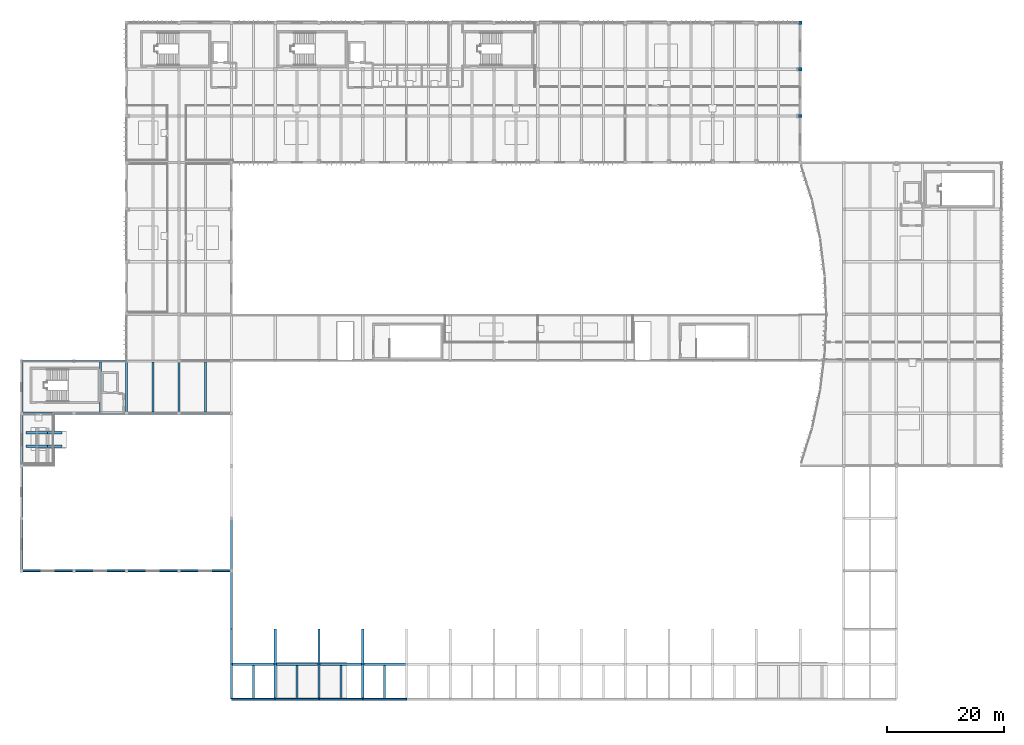
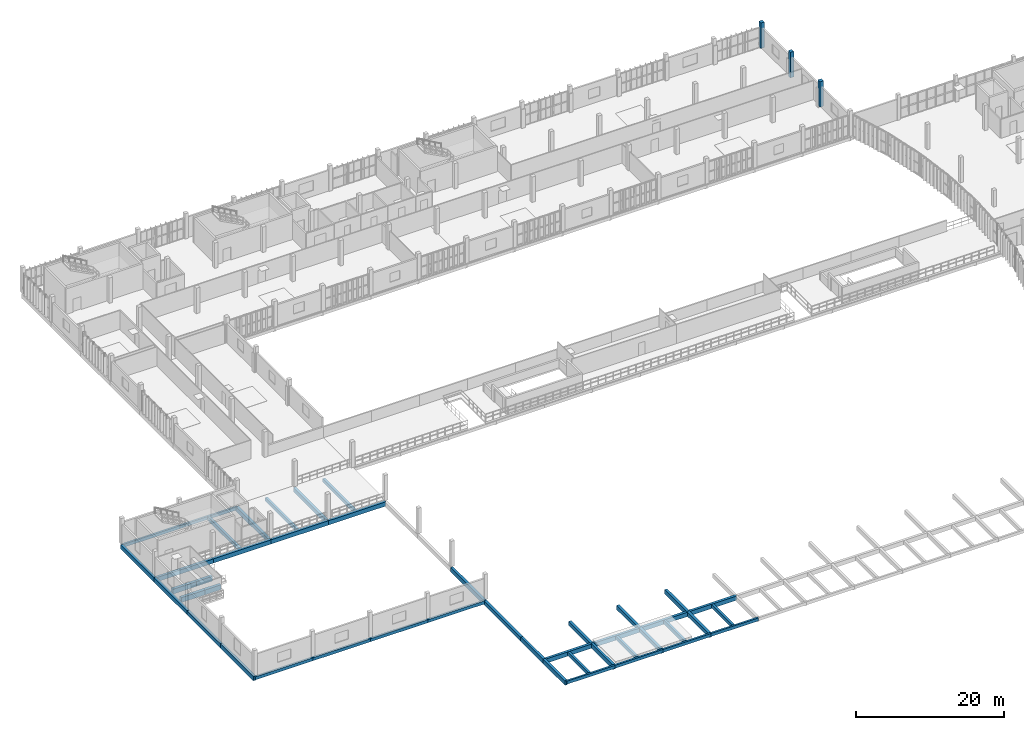
# One storey, part 5 of 61: 45 beams, 3 columns.
"""IFC4 building model written with IfcOpenShell, lengths in metres."""

from ifc_helpers import new_model, si_unit, direction, frame, origin, origin_2d, place, context, subcontext, project, spatial, rectangle, extrude, material, material_profile, profile_set, type_object, element, save


model = new_model("IFC4")

# Units and contexts
model_context = context("Model", 3, precision=1e-05, world=origin(), true_north=direction((0.0, 1.0)))
body_context = subcontext(model_context, "Body", "Model", "MODEL_VIEW")
ifc_project = project(units=[si_unit("LENGTHUNIT", "METRE"), si_unit("AREAUNIT", "SQUARE_METRE"), si_unit("VOLUMEUNIT", "CUBIC_METRE"), si_unit("PLANEANGLEUNIT", "RADIAN"), si_unit("MASSUNIT", "GRAM", prefix="KILO")], contexts=[model_context])

# Site, building, storey
site_placement = place(None, origin())
site = spatial("IfcSite", under=ifc_project, at=site_placement, CompositionType="ELEMENT")
building_placement = place(site_placement, origin())
building = spatial("IfcBuilding", under=site, at=building_placement, Name="Vourika Railside Aquatics Centre", CompositionType="ELEMENT")
storey_placement = place(building_placement, frame((0.0, 0.0, 9.300048828125)))
storey = spatial("IfcBuildingStorey", under=building, at=storey_placement, Name="L02", CompositionType="ELEMENT", Elevation=9.300048828125)

# Columns
ifc_material = material(Name="Concrete C35/45", Category="concrete")
ifc_material_profile_1 = material_profile(ifc_material, rectangle(XDim=0.550048828125, YDim=0.550048828125, at=origin_2d()), Name="RC 550x550")
ifc_profile_set_1 = profile_set([ifc_material_profile_1], Name="Concrete C35/45")
column_type = type_object("IfcColumnType", Name="COL-RC550", PredefinedType="COLUMN", material=ifc_profile_set_1)
for number, where, z_axis, x_axis, name in (
    (1, (133.5, 100.0, 0.0), (0.0, 0.0, 1.0), (1.0, 0.0, 0.0), "Column col:L02:1335_1000"),
    (2, (133.5, 108.0, 0.0), (0.0, 0.0, 1.0), (1.0, 0.0, 0.0), "Column col:L02:1335_1080"),
    (3, (133.5, 116.0, 0.0), (0.0, 0.0, 1.0), (1.0, 0.0, 0.0), "Column col:L02:1335_1160"),
):
    element("IfcColumn", number, at=place(storey_placement, frame(where, z_axis=z_axis, x_axis=x_axis)), inside=storey, type_object=column_type, Name=name, PredefinedType="COLUMN", context=body_context, shape_type="SweptSolid", body=[
        extrude(rectangle(XDim=0.550048828125, YDim=0.550048828125, at=origin_2d()), origin(), (0.0, 0.0, 1.0), 4.199951171875),
    ])

# Beams
ifc_material_profile_2 = material_profile(ifc_material, rectangle(XDim=0.39990234375, YDim=0.699951171875, at=origin_2d()), Name="RC 400x700")
ifc_profile_set_2 = profile_set([ifc_material_profile_2], Name="Concrete C35/45")
beam_type_1 = type_object("IfcBeamType", Name="BM-GIRD-400x700", PredefinedType="BEAM", material=ifc_profile_set_2)
for number, where, z_axis, x_axis, name in (
    (4, (36.0, 6.0, -0.630126953125), (1.0, 0.0, 0.0), (0.0, 1.0, 0.0), "Floor Beam GX-L02-016"),
    (5, (43.5, 6.0, -0.630126953125), (1.0, 0.0, 0.0), (0.0, 1.0, 0.0), "Floor Beam GX-L02-017"),
    (6, (51.0, 6.0, -0.630126953125), (1.0, 0.0, 0.0), (0.0, 1.0, 0.0), "Floor Beam GX-L02-018"),
    (7, (58.5, 6.0, -0.630126953125), (1.0, 0.0, 0.0), (0.0, 1.0, 0.0), "Floor Beam GX-L02-019"),
):
    element("IfcBeam", number, at=place(storey_placement, frame(where, z_axis=z_axis, x_axis=x_axis)), inside=storey, type_object=beam_type_1, Name=name, PredefinedType="BEAM", context=body_context, shape_type="SweptSolid", body=[
        extrude(rectangle(XDim=0.39990234375, YDim=0.699951171875, at=origin_2d()), origin(), (0.0, 0.0, 1.0), 7.5),
    ])
for number, where, z_axis, x_axis, name in (
    (8, (0.0, 49.0, -0.630126953125), (1.0, 0.0, 0.0), (0.0, 1.0, 0.0), "Floor Beam GX-L02-041"),
    (9, (9.0, 49.0, -0.630126953125), (1.0, 0.0, 0.0), (0.0, 1.0, 0.0), "Floor Beam GX-L02-042"),
    (10, (18.0, 49.0, -0.630126953125), (1.0, 0.0, 0.0), (0.0, 1.0, 0.0), "Floor Beam GX-L02-043"),
    (11, (27.0, 49.0, -0.630126953125), (1.0, 0.0, 0.0), (0.0, 1.0, 0.0), "Floor Beam GX-L02-044"),
    (12, (0.0, 22.0, -0.630126953125), (0.0, 1.0, 0.0), (-1.0, 0.0, 0.0), "Floor Girder GY-L02-148"),
    (13, (0.0, 31.0, -0.630126953125), (0.0, 1.0, 0.0), (-1.0, 0.0, 0.0), "Floor Girder GY-L02-149"),
    (14, (0.0, 40.0, -0.630126953125), (0.0, 1.0, 0.0), (-1.0, 0.0, 0.0), "Floor Girder GY-L02-150"),
    (15, (0.0, 49.0, -0.630126953125), (0.0, 1.0, 0.0), (-1.0, 0.0, 0.0), "Floor Girder GY-L02-151"),
    (16, (18.0, 49.0, -0.630126953125), (0.0, 1.0, 0.0), (-1.0, 0.0, 0.0), "Floor Girder GY-L02-152"),
    (17, (27.0, 49.0, -0.630126953125), (0.0, 1.0, 0.0), (-1.0, 0.0, 0.0), "Floor Girder GY-L02-160"),
):
    element("IfcBeam", number, at=place(storey_placement, frame(where, z_axis=z_axis, x_axis=x_axis)), inside=storey, type_object=beam_type_1, Name=name, PredefinedType="BEAM", context=body_context, shape_type="SweptSolid", body=[
        extrude(rectangle(XDim=0.39990234375, YDim=0.699951171875, at=origin_2d()), origin(), (0.0, 0.0, 1.0), 9.0),
    ])
for number, where, z_axis, x_axis, name in (
    (18, (36.0, 0.0, -0.630126953125), (0.0, 1.0, 0.0), (-1.0, 0.0, 0.0), "Floor Girder GY-L02-167"),
    (19, (36.0, 6.0, -0.630126953125), (0.0, 1.0, 0.0), (-1.0, 0.0, 0.0), "Floor Girder GY-L02-168"),
):
    element("IfcBeam", number, at=place(storey_placement, frame(where, z_axis=z_axis, x_axis=x_axis)), inside=storey, type_object=beam_type_1, Name=name, PredefinedType="BEAM", context=body_context, shape_type="SweptSolid", body=[
        extrude(rectangle(XDim=0.39990234375, YDim=0.699951171875, at=origin_2d()), origin(), (0.0, 0.0, 1.0), 6.0),
    ])
beam_1_placement = place(storey_placement, frame((36.0, 12.0, -0.630126953125), z_axis=(0.0, 1.0, 0.0), x_axis=(-1.0, 0.0, 0.0)))
element("IfcBeam", 20, at=beam_1_placement, inside=storey, type_object=beam_type_1, Name="Floor Girder GY-L02-169", PredefinedType="BEAM", context=body_context, shape_type="SweptSolid", body=[
    extrude(rectangle(XDim=0.39990234375, YDim=0.699951171875, at=origin_2d()), origin(), (0.0, 0.0, 1.0), 10.0),
])
beam_2_placement = place(storey_placement, frame((36.0, 22.0, -0.630126953125), z_axis=(0.0, 1.0, 0.0), x_axis=(-1.0, 0.0, 0.0)))
element("IfcBeam", 21, at=beam_2_placement, inside=storey, type_object=beam_type_1, Name="Floor Girder GY-L02-170", PredefinedType="BEAM", context=body_context, shape_type="SweptSolid", body=[
    extrude(rectangle(XDim=0.39990234375, YDim=0.699951171875, at=origin_2d()), origin(), (0.0, 0.0, 1.0), 9.0),
])
for number, where, z_axis, x_axis, name in (
    (22, (43.5, 0.0, -0.630126953125), (0.0, 1.0, 0.0), (-1.0, 0.0, 0.0), "Floor Girder GY-L02-181"),
    (23, (43.5, 6.0, -0.630126953125), (0.0, 1.0, 0.0), (-1.0, 0.0, 0.0), "Floor Girder GY-L02-182"),
    (24, (51.0, 0.0, -0.630126953125), (0.0, 1.0, 0.0), (-1.0, 0.0, 0.0), "Floor Girder GY-L02-187"),
    (25, (51.0, 6.0, -0.630126953125), (0.0, 1.0, 0.0), (-1.0, 0.0, 0.0), "Floor Girder GY-L02-188"),
    (26, (58.5, 0.0, -0.630126953125), (0.0, 1.0, 0.0), (-1.0, 0.0, 0.0), "Floor Girder GY-L02-192"),
    (27, (58.5, 6.0, -0.630126953125), (0.0, 1.0, 0.0), (-1.0, 0.0, 0.0), "Floor Girder GY-L02-193"),
):
    element("IfcBeam", number, at=place(storey_placement, frame(where, z_axis=z_axis, x_axis=x_axis)), inside=storey, type_object=beam_type_1, Name=name, PredefinedType="BEAM", context=body_context, shape_type="SweptSolid", body=[
        extrude(rectangle(XDim=0.39990234375, YDim=0.699951171875, at=origin_2d()), origin(), (0.0, 0.0, 1.0), 6.0),
    ])
ifc_material_profile_3 = material_profile(ifc_material, rectangle(XDim=0.449951171875, YDim=0.800048828125, at=origin_2d()), Name="RC 450x800")
ifc_profile_set_3 = profile_set([ifc_material_profile_3], Name="Concrete C35/45")
beam_type_2 = type_object("IfcBeamType", Name="BM-RAKER-450x800", PredefinedType="BEAM", material=ifc_profile_set_3)
beam_3_placement = place(storey_placement, frame((0.719970703125, 43.35009765625, -0.77001953125), z_axis=(1.0, 0.0, 0.0), x_axis=(0.0, 1.0, 0.0)))
element("IfcBeam", 28, at=beam_3_placement, inside=storey, type_object=beam_type_2, Name="Diving Platform 10.0 m Back-Span Beam 1", PredefinedType="BEAM", context=body_context, shape_type="SweptSolid", body=[
    extrude(rectangle(XDim=0.449951171875, YDim=0.800048828125, at=origin_2d()), origin(), (0.0, 0.0, 1.0), 3.72998046875),
])
beam_4_placement = place(storey_placement, frame((4.449951171875, 43.35009765625, -0.77001953125), z_axis=(1.0, 0.0, 0.0), x_axis=(0.0, 1.0, 0.0)))
element("IfcBeam", 29, at=beam_4_placement, inside=storey, type_object=beam_type_2, Name="Diving Platform 10.0 m Cantilever Bracket Beam 1", PredefinedType="BEAM", context=body_context, shape_type="SweptSolid", body=[
    extrude(rectangle(XDim=0.449951171875, YDim=0.800048828125, at=origin_2d()), origin(), (0.0, 0.0, 1.0), 2.449951171875),
])
beam_5_placement = place(storey_placement, frame((0.719970703125, 45.64990234375, -0.77001953125), z_axis=(1.0, 0.0, 0.0), x_axis=(0.0, 1.0, 0.0)))
element("IfcBeam", 30, at=beam_5_placement, inside=storey, type_object=beam_type_2, Name="Diving Platform 10.0 m Back-Span Beam 2", PredefinedType="BEAM", context=body_context, shape_type="SweptSolid", body=[
    extrude(rectangle(XDim=0.449951171875, YDim=0.800048828125, at=origin_2d()), origin(), (0.0, 0.0, 1.0), 3.72998046875),
])
beam_6_placement = place(storey_placement, frame((4.449951171875, 45.64990234375, -0.77001953125), z_axis=(1.0, 0.0, 0.0), x_axis=(0.0, 1.0, 0.0)))
element("IfcBeam", 31, at=beam_6_placement, inside=storey, type_object=beam_type_2, Name="Diving Platform 10.0 m Cantilever Bracket Beam 2", PredefinedType="BEAM", context=body_context, shape_type="SweptSolid", body=[
    extrude(rectangle(XDim=0.449951171875, YDim=0.800048828125, at=origin_2d()), origin(), (0.0, 0.0, 1.0), 2.449951171875),
])
ifc_material_profile_4 = material_profile(ifc_material, rectangle(XDim=0.35009765625, YDim=0.60009765625, at=origin_2d()), Name="RC 350x600")
ifc_profile_set_4 = profile_set([ifc_material_profile_4], Name="Concrete C35/45")
beam_type_3 = type_object("IfcBeamType", Name="BM-SEC-350x600", PredefinedType="JOIST", material=ifc_profile_set_4)
for number, where, z_axis, x_axis, name in (
    (32, (39.75, 0.14990234375, -0.580078125), (0.0, 1.0, 0.0), (-1.0, 0.0, 0.0), "Secondary Joist JY-L02-287"),
    (33, (47.25, 0.14990234375, -0.580078125), (0.0, 1.0, 0.0), (-1.0, 0.0, 0.0), "Secondary Joist JY-L02-288"),
    (34, (54.75, 0.14990234375, -0.580078125), (0.0, 1.0, 0.0), (-1.0, 0.0, 0.0), "Secondary Joist JY-L02-289"),
    (35, (62.25, 0.14990234375, -0.580078125), (0.0, 1.0, 0.0), (-1.0, 0.0, 0.0), "Secondary Joist JY-L02-290"),
):
    element("IfcBeam", number, at=place(storey_placement, frame(where, z_axis=z_axis, x_axis=x_axis)), inside=storey, type_object=beam_type_3, Name=name, PredefinedType="JOIST", context=body_context, shape_type="SweptSolid", body=[
        extrude(rectangle(XDim=0.35009765625, YDim=0.60009765625, at=origin_2d()), origin(), (0.0, 0.0, 1.0), 5.650146484375),
    ])
for number, where, z_axis, x_axis, name in (
    (36, (13.5, 49.199951171875, -0.580078125), (0.0, 1.0, 0.0), (-1.0, 0.0, 0.0), "Secondary Joist JY-L02-309"),
    (37, (22.5, 49.199951171875, -0.580078125), (0.0, 1.0, 0.0), (-1.0, 0.0, 0.0), "Secondary Joist JY-L02-310"),
    (38, (31.5, 49.199951171875, -0.580078125), (0.0, 1.0, 0.0), (-1.0, 0.0, 0.0), "Secondary Joist JY-L02-311"),
):
    element("IfcBeam", number, at=place(storey_placement, frame(where, z_axis=z_axis, x_axis=x_axis)), inside=storey, type_object=beam_type_3, Name=name, PredefinedType="JOIST", context=body_context, shape_type="SweptSolid", body=[
        extrude(rectangle(XDim=0.35009765625, YDim=0.60009765625, at=origin_2d()), origin(), (0.0, 0.0, 1.0), 8.650146484375),
    ])
ifc_material_profile_5 = material_profile(ifc_material, rectangle(XDim=0.300048828125, YDim=0.5, at=origin_2d()), Name="RC 300x500")
ifc_profile_set_5 = profile_set([ifc_material_profile_5], Name="Concrete C35/45")
beam_type_4 = type_object("IfcBeamType", Name="BM-SPAN-300x500", PredefinedType="SPANDREL", material=ifc_profile_set_5)
for number, where, z_axis, x_axis, name in (
    (39, (36.0, 0.0, -0.530029296875), (1.0, 0.0, 0.0), (0.0, 1.0, 0.0), "Floor Beam GX-L02-001"),
    (40, (43.5, 0.0, -0.530029296875), (1.0, 0.0, 0.0), (0.0, 1.0, 0.0), "Floor Beam GX-L02-002"),
    (41, (51.0, 0.0, -0.530029296875), (1.0, 0.0, 0.0), (0.0, 1.0, 0.0), "Floor Beam GX-L02-003"),
    (42, (58.5, 0.0, -0.530029296875), (1.0, 0.0, 0.0), (0.0, 1.0, 0.0), "Floor Beam GX-L02-004"),
):
    element("IfcBeam", number, at=place(storey_placement, frame(where, z_axis=z_axis, x_axis=x_axis)), inside=storey, type_object=beam_type_4, Name=name, PredefinedType="SPANDREL", context=body_context, shape_type="SweptSolid", body=[
        extrude(rectangle(XDim=0.300048828125, YDim=0.5, at=origin_2d()), origin(), (0.0, 0.0, 1.0), 7.5),
    ])
for number, where, z_axis, x_axis, name in (
    (43, (0.0, 22.0, -0.530029296875), (1.0, 0.0, 0.0), (0.0, 1.0, 0.0), "Floor Beam GX-L02-032"),
    (44, (9.0, 22.0, -0.530029296875), (1.0, 0.0, 0.0), (0.0, 1.0, 0.0), "Floor Beam GX-L02-033"),
    (45, (18.0, 22.0, -0.530029296875), (1.0, 0.0, 0.0), (0.0, 1.0, 0.0), "Floor Beam GX-L02-034"),
    (46, (27.0, 22.0, -0.530029296875), (1.0, 0.0, 0.0), (0.0, 1.0, 0.0), "Floor Beam GX-L02-035"),
    (47, (0.0, 58.0, -0.530029296875), (1.0, 0.0, 0.0), (0.0, 1.0, 0.0), "Floor Beam GX-L02-048"),
    (48, (9.0, 58.0, -0.530029296875), (1.0, 0.0, 0.0), (0.0, 1.0, 0.0), "Floor Beam GX-L02-049"),
):
    element("IfcBeam", number, at=place(storey_placement, frame(where, z_axis=z_axis, x_axis=x_axis)), inside=storey, type_object=beam_type_4, Name=name, PredefinedType="SPANDREL", context=body_context, shape_type="SweptSolid", body=[
        extrude(rectangle(XDim=0.300048828125, YDim=0.5, at=origin_2d()), origin(), (0.0, 0.0, 1.0), 9.0),
    ])

save(model, "model.ifc")
